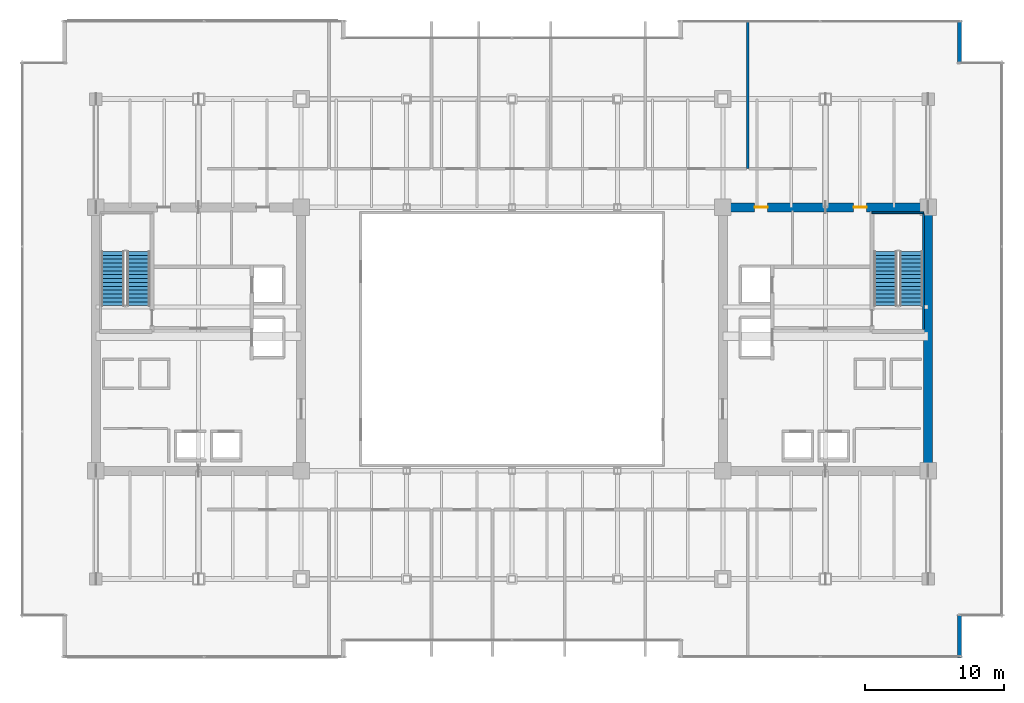
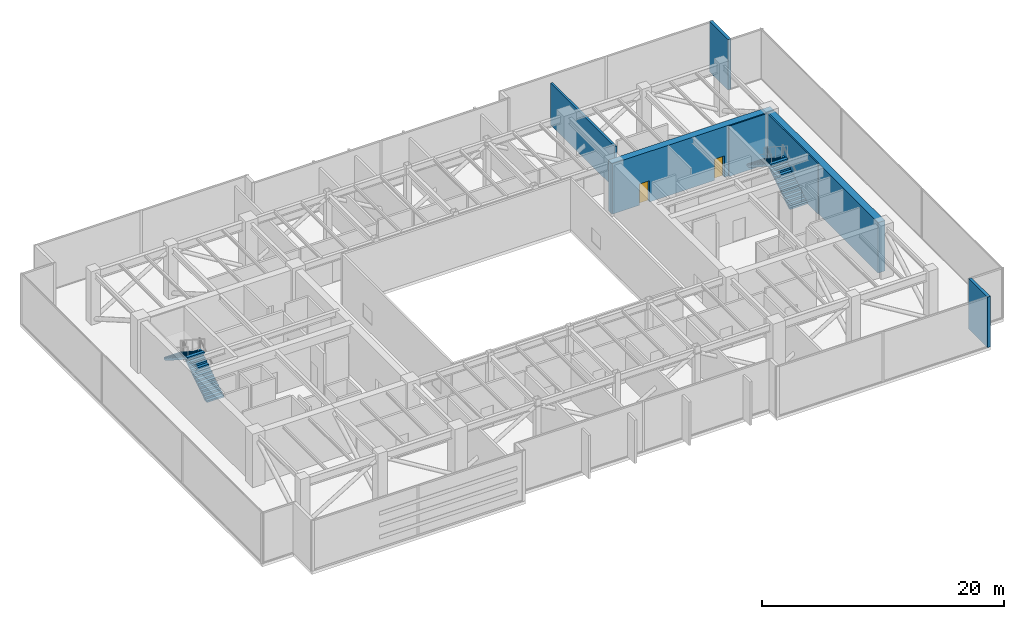
# One storey, part 31 of 34: 7 walls, 4 stair flights, 2 doors, 2 openings, 2 elements without a shape of their own.
"""IFC4 building model written with IfcOpenShell, lengths in metres."""

from ifc_helpers import new_model, si_unit, direction, frame, frame_2d, origin, place, context, subcontext, project, spatial, polyline, rectangle, outline, extrude, source, transform, mapped, material, layer, layer_set, type_object, type_shapes, element, fill, aggregate, save


model = new_model("IFC4")

# Units and contexts
model_context = context("Model", 3, precision=1e-05, world=origin(), true_north=direction((0.0, 1.0)))
body_context = subcontext(model_context, "Body", "Model", "MODEL_VIEW")
ifc_project = project(units=[si_unit("LENGTHUNIT", "METRE"), si_unit("AREAUNIT", "SQUARE_METRE"), si_unit("VOLUMEUNIT", "CUBIC_METRE"), si_unit("PLANEANGLEUNIT", "RADIAN"), si_unit("MASSUNIT", "GRAM", prefix="KILO")], contexts=[model_context])

# Site, building, storey
site_placement = place(None, origin())
site = spatial("IfcSite", under=ifc_project, at=site_placement, CompositionType="ELEMENT")
building_placement = place(site_placement, origin())
building = spatial("IfcBuilding", under=site, at=building_placement, Name="Haelvirn Gate Laboratories", CompositionType="ELEMENT")
storey_placement = place(building_placement, frame((0.0, 0.0, 191.199951171875)))
storey = spatial("IfcBuildingStorey", under=building, at=storey_placement, Name="L46", CompositionType="ELEMENT", Elevation=191.199951171875)

# Walls
ifc_material_1 = material(Name="Thermally-broken bronze aluminium rainscreen & mineral wool", Category="aluminium")
ifc_layer_1 = layer(ifc_material_1, 0.280029296875, Name="EW-TERR-280")
ifc_layer_set_1 = layer_set([ifc_layer_1], Name="Thermally-broken bronze aluminium rainscreen & mineral wool")
wall_type_1 = type_object("IfcWallType", Name="EW-TERR-280", PredefinedType="STANDARD", material=ifc_layer_set_1)
wall_1_placement = place(storey_placement, frame((69.659912109375, 1.300048828125, 0.0), z_axis=(0.0, 0.0, 1.0), x_axis=(0.0, 1.0, 0.0)))
element("IfcWall", 1, at=wall_1_placement, inside=storey, type_object=wall_type_1, Name="L46 Atrium Recess Bronze Return Wall 05", PredefinedType="STANDARD", context=body_context, shape_type="SweptSolid", body=[
    extrude(rectangle(XDim=3.087890625, YDim=0.280029296875, at=frame_2d((1.5439453125, 0.0))), origin(), (0.0, 0.0, 1.0), 5.10009765625),
])
wall_2_placement = place(storey_placement, frame((69.659912109375, 44.2119140625, 0.0), z_axis=(0.0, 0.0, 1.0), x_axis=(0.0, 1.0, 0.0)))
element("IfcWall", 2, at=wall_2_placement, inside=storey, type_object=wall_type_1, Name="L46 Atrium Recess Bronze Return Wall 09", PredefinedType="STANDARD", context=body_context, shape_type="SweptSolid", body=[
    extrude(rectangle(XDim=3.088134765625, YDim=0.280029296875, at=frame_2d((1.5439453125, 0.0))), origin(), (0.0, 0.0, 1.0), 5.10009765625),
])
ifc_material_2 = material(Name="Concrete C40/50", Category="concrete")
ifc_layer_2 = layer(ifc_material_2, 0.199951171875, Name="IW-SHAFT-200")
ifc_layer_set_2 = layer_set([ifc_layer_2], Name="Concrete C40/50")
wall_type_2 = type_object("IfcWallType", Name="IW-SHAFT-200", PredefinedType="SOLIDWALL", material=ifc_layer_set_2)
wall_3_placement = place(storey_placement, frame((54.39990234375, 36.580078125, 0.0), z_axis=(0.0, 0.0, 1.0), x_axis=(0.0, 1.0, 0.0)))
element("IfcWall", 3, at=wall_3_placement, inside=storey, type_object=wall_type_2, Name="L46 Interior Wall IW-L46-PNDIV-6", PredefinedType="SOLIDWALL", context=body_context, shape_type="SweptSolid", body=[
    extrude(rectangle(XDim=10.60986328125, YDim=0.199951171875, at=frame_2d((5.304931640625, 0.0))), origin(), (0.0, 0.0, 1.0), 4.235107421875),
])

# Wall, openings, doors
ifc_material_3 = material(Name="Concrete C60/75", Category="concrete")
ifc_layer_3 = layer(ifc_material_3, 0.64990234375, Name="SW-CORE-650")
ifc_layer_set_3 = layer_set([ifc_layer_3], Name="Concrete C60/75")
wall_type_3 = type_object("IfcWallType", Name="SW-CORE-650", PredefinedType="SHEAR", material=ifc_layer_set_3)
wall_4_placement = place(storey_placement, frame((52.27490234375, 33.800048828125, 0.0), z_axis=(0.0, 0.0, 1.0), x_axis=(1.0, 0.0, 0.0)))
wall_4 = element("IfcWall", 4, at=wall_4_placement, inside=storey, type_object=wall_type_3, Name="L46 E Core Shear Wall N", PredefinedType="SHEAR", context=body_context, shape_type="SweptSolid", body=[
    extrude(rectangle(XDim=15.4501953125, YDim=0.64990234375, at=frame_2d((7.72509765625, 0.0))), origin(), (0.0, 0.0, 1.0), 5.10009765625),
])
opening_1_placement = place(wall_4_placement, frame((9.75, 0.0, 0.0)))
opening_1 = element("IfcOpeningElement", 5, at=opening_1_placement, cuts=wall_4, Name="Opening FD4", PredefinedType="OPENING", context=body_context, shape_type="SweptSolid", body=[
    extrude(rectangle(XDim=0.949951171875, YDim=2.14990234375, at=frame_2d((0.47509765625, 1.074951171875))), frame((0.0, 0.3349609375, 0.0), z_axis=(0.0, -1.0, 0.0), x_axis=(1.0, 0.0, 0.0)), (0.0, 0.0, 1.0), 0.669921875),
])
opening_2_placement = place(wall_4_placement, frame((2.610107421875, 0.0, 0.0)))
opening_2 = element("IfcOpeningElement", 6, at=opening_2_placement, cuts=wall_4, Name="Opening FD4", PredefinedType="OPENING", context=body_context, shape_type="SweptSolid", body=[
    extrude(rectangle(XDim=0.949951171875, YDim=2.14990234375, at=frame_2d((0.47509765625, 1.074951171875))), frame((0.0, 0.3349609375, 0.0), z_axis=(0.0, -1.0, 0.0), x_axis=(1.0, 0.0, 0.0)), (0.0, 0.0, 1.0), 0.669921875),
])
ifc_material_4 = material(Name="Fire-rated steel SM355 core service door", Category="steel")
door_type = type_object("IfcDoorType", Name="DR-FD-950", OperationType="NOTDEFINED", PredefinedType="DOOR", material=ifc_material_4)
shared_shape_1 = source(origin(), body_context, "Body", "SweptSolid", [
    extrude(rectangle(XDim=0.949951171875, YDim=2.14990234375, at=frame_2d((0.47509765625, 1.074951171875))), frame((0.0, 0.02490234375, 0.0), z_axis=(0.0, -1.0, 0.0), x_axis=(1.0, 0.0, 0.0)), (0.0, 0.0, 1.0), 0.050048828125),
])
type_shapes(door_type, [shared_shape_1])
door_1_placement = place(opening_1_placement, origin())
door_1 = element("IfcDoor", 7, at=door_1_placement, inside=storey, type_object=door_type, Name="L46 All-Gender Multi-Stall Restroom Fire Door", OperationType="SINGLE_SWING_LEFT", OverallHeight=2.14990234375, OverallWidth=0.949951171875, PredefinedType="DOOR", context=body_context, shape_type="MappedRepresentation", body=[
    mapped(shared_shape_1, transform((0.0, 0.0, 0.0), scale=1.0)),
])
fill(opening_1, door_1)
door_2_placement = place(opening_2_placement, origin())
door_2 = element("IfcDoor", 8, at=door_2_placement, inside=storey, type_object=door_type, Name="L46 Accessible Restroom Fire Door", OperationType="SINGLE_SWING_RIGHT", OverallHeight=2.14990234375, OverallWidth=0.949951171875, PredefinedType="DOOR", context=body_context, shape_type="MappedRepresentation", body=[
    mapped(shared_shape_1, transform((0.0, 0.0, 0.0), scale=1.0)),
])
fill(opening_2, door_2)

# Walls
wall_5_placement = place(storey_placement, frame((67.39990234375, 15.125, 0.0), z_axis=(0.0, 0.0, 1.0), x_axis=(0.0, 1.0, 0.0)))
element("IfcWall", 9, at=wall_5_placement, inside=storey, type_object=wall_type_3, Name="L46 E Core Shear Wall E", PredefinedType="SHEAR", context=body_context, shape_type="SweptSolid", body=[
    extrude(rectangle(XDim=18.35009765625, YDim=0.64990234375, at=frame_2d((9.175048828125, 0.0))), origin(), (0.0, 0.0, 1.0), 5.10009765625),
])
ifc_material_5 = material(Name="Concrete C50/60", Category="concrete")
ifc_layer_4 = layer(ifc_material_5, 0.1201171875, Name="SW-LINER-120")
ifc_layer_set_4 = layer_set([ifc_layer_4], Name="Concrete C50/60")
wall_type_4 = type_object("IfcWallType", Name="SW-LINER-120", PredefinedType="SOLIDWALL", material=ifc_layer_set_4)
wall_6_placement = place(storey_placement, frame((63.35009765625, 33.39990234375, 0.0), z_axis=(0.0, 0.0, 1.0), x_axis=(1.0, 0.0, 0.0)))
element("IfcWall", 10, at=wall_6_placement, inside=storey, type_object=wall_type_4, Name="L46 E Core Stair Shaft Liner Wall N", PredefinedType="SOLIDWALL", context=body_context, shape_type="SweptSolid", body=[
    extrude(rectangle(XDim=3.719970703125, YDim=0.1201171875, at=frame_2d((1.85986328125, 0.0))), origin(), (0.0, 0.0, 1.0), 5.10009765625),
])
wall_7_placement = place(storey_placement, frame((67.070068359375, 25.0, 0.0), z_axis=(0.0, 0.0, 1.0), x_axis=(0.0, 1.0, 0.0)))
element("IfcWall", 11, at=wall_7_placement, inside=storey, type_object=wall_type_4, Name="L46 E Core Stair Shaft Liner Wall OUT", PredefinedType="SOLIDWALL", context=body_context, shape_type="SweptSolid", body=[
    extrude(rectangle(XDim=8.320068359375, YDim=0.1201171875, at=frame_2d((4.16015625, 0.0))), origin(), (0.0, 0.0, 1.0), 5.10009765625),
])

# Stair, stair flights
stair_type = type_object("IfcStairType", Name="ST-DOG-1650-R30", PredefinedType="HALF_TURN_STAIR", material=ifc_material_2)
stair_1_placement = place(storey_placement, origin())
stair_1 = element("IfcStair", 12, at=stair_1_placement, inside=storey, type_object=stair_type, Name="L46 Escape Stair ST1", PredefinedType="HALF_TURN_STAIR")
stair_flight_type = type_object("IfcStairFlightType", Name="STF-1650-R15", PredefinedType="STRAIGHT", material=ifc_material_2)
shared_shape_2 = source(origin(), body_context, "Body", "SweptSolid", [
    extrude(outline(polyline([(0.0, 0.0), (0.0, 0.179931640625), (0.280029296875, 0.179931640625), (0.280029296875, 0.360107421875), (0.56005859375, 0.360107421875), (0.56005859375, 0.5400390625), (0.840087890625, 0.5400390625), (0.840087890625, 0.719970703125), (1.1201171875, 0.719970703125), (1.1201171875, 0.89990234375), (1.39990234375, 0.89990234375), (1.39990234375, 1.080078125), (1.679931640625, 1.080078125), (1.679931640625, 1.260009765625), (1.9599609375, 1.260009765625), (1.9599609375, 1.43994140625), (2.239990234375, 1.43994140625), (2.239990234375, 1.6201171875), (2.52001953125, 1.6201171875), (2.52001953125, 1.800048828125), (2.800048828125, 1.800048828125), (2.800048828125, 1.97998046875), (3.080078125, 1.97998046875), (3.080078125, 2.159912109375), (3.360107421875, 2.159912109375), (3.360107421875, 2.340087890625), (3.639892578125, 2.340087890625), (3.639892578125, 2.52001953125), (3.919921875, 2.52001953125), (3.919921875, 2.699951171875), (3.919921875, 2.329833984375), (0.295654296875, 0.0), (0.0, 0.0)])), frame((0.0, 0.824951171875, 0.0), z_axis=(0.0, -1.0, 0.0), x_axis=(1.0, 0.0, 0.0)), (0.0, 0.0, 1.0), 1.64990234375),
])
type_shapes(stair_flight_type, [shared_shape_2])
stair_flight_1_placement = place(storey_placement, frame((10.47509765625, 26.699951171875, 0.0), z_axis=(0.0, 0.0, 1.0), x_axis=(0.0, 1.0, 0.0)))
stair_flight_1 = element("IfcStairFlight", 13, at=stair_flight_1_placement, type_object=stair_flight_type, Name="ST1 flight 1", NumberOfRisers=15, NumberOfTreads=14, PredefinedType="STRAIGHT", RiserHeight=0.18, TreadLength=0.28, context=body_context, shape_type="MappedRepresentation", body=[
    mapped(shared_shape_2, transform((0.0, 0.0, 0.0), scale=1.0)),
])
stair_flight_2_placement = place(storey_placement, frame((8.625, 30.6201171875, 2.699951171875), z_axis=(0.0, 0.0, 1.0), x_axis=(0.0, -1.0, 0.0)))
stair_flight_2 = element("IfcStairFlight", 14, at=stair_flight_2_placement, type_object=stair_flight_type, Name="ST1 flight 2", NumberOfRisers=15, NumberOfTreads=14, PredefinedType="STRAIGHT", RiserHeight=0.18, TreadLength=0.28, context=body_context, shape_type="MappedRepresentation", body=[
    mapped(shared_shape_2, transform((0.0, 0.0, 0.0), scale=1.0)),
])
aggregate(stair_1, [stair_flight_1, stair_flight_2])

stair_2_placement = place(storey_placement, origin())
stair_2 = element("IfcStair", 15, at=stair_2_placement, inside=storey, type_object=stair_type, Name="L46 Escape Stair ST2", PredefinedType="HALF_TURN_STAIR")
stair_flight_3_placement = place(storey_placement, frame((66.175048828125, 26.699951171875, 0.0), z_axis=(0.0, 0.0, 1.0), x_axis=(0.0, 1.0, 0.0)))
stair_flight_3 = element("IfcStairFlight", 16, at=stair_flight_3_placement, type_object=stair_flight_type, Name="ST2 flight 1", NumberOfRisers=15, NumberOfTreads=14, PredefinedType="STRAIGHT", RiserHeight=0.18, TreadLength=0.28, context=body_context, shape_type="MappedRepresentation", body=[
    mapped(shared_shape_2, transform((0.0, 0.0, 0.0), scale=1.0)),
])
stair_flight_4_placement = place(storey_placement, frame((64.324951171875, 30.6201171875, 2.699951171875), z_axis=(0.0, 0.0, 1.0), x_axis=(0.0, -1.0, 0.0)))
stair_flight_4 = element("IfcStairFlight", 17, at=stair_flight_4_placement, type_object=stair_flight_type, Name="ST2 flight 2", NumberOfRisers=15, NumberOfTreads=14, PredefinedType="STRAIGHT", RiserHeight=0.18, TreadLength=0.28, context=body_context, shape_type="MappedRepresentation", body=[
    mapped(shared_shape_2, transform((0.0, 0.0, 0.0), scale=1.0)),
])
aggregate(stair_2, [stair_flight_3, stair_flight_4])

save(model, "model.ifc")
